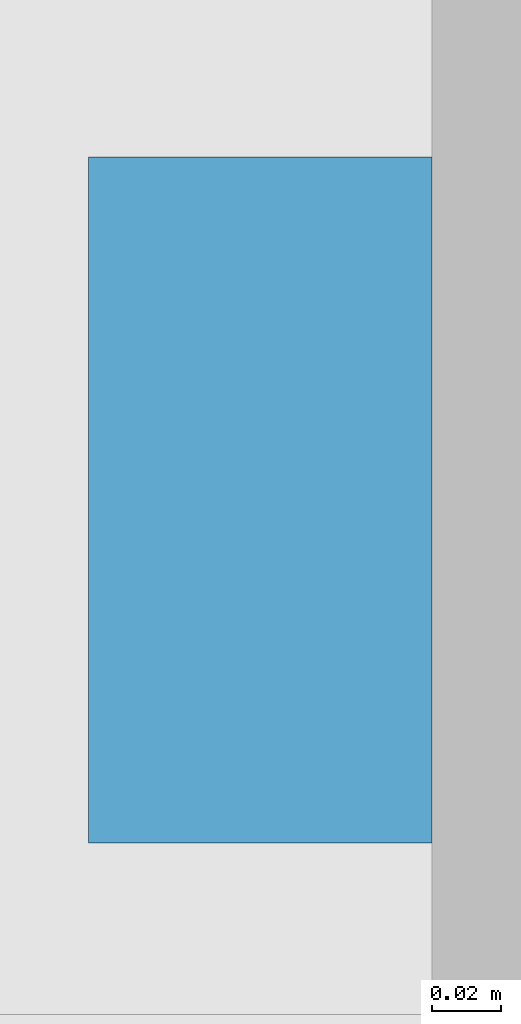
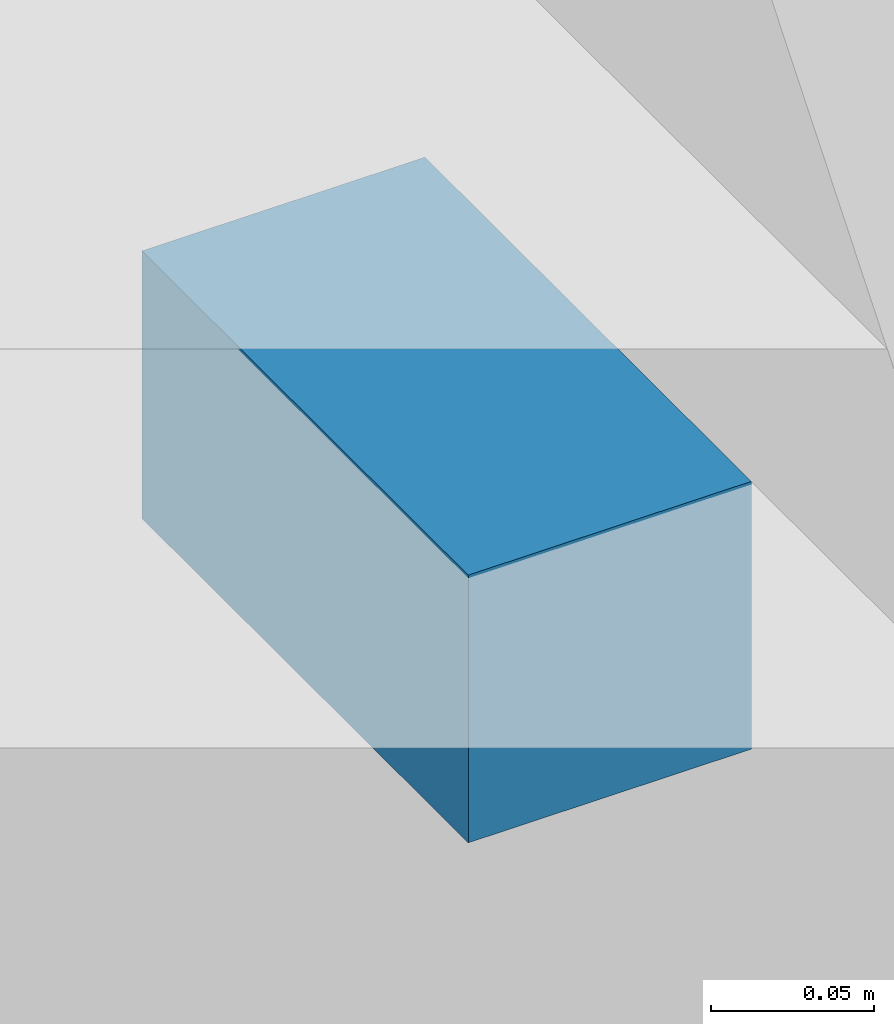
# One storey, part 15 of 19: 1 discrete accessory.
"""IFC4 building model written with IfcOpenShell, lengths in metres."""

from ifc_helpers import new_model, si_unit, direction, frame, origin, origin_2d, place, context, subcontext, project, spatial, rectangle, extrude, element, save


model = new_model("IFC4")

# Units and contexts
model_context = context("Model", 3, precision=1e-05, world=origin(), true_north=direction((0.0, 1.0)))
body_context = subcontext(model_context, "Body", "Model", "MODEL_VIEW")
ifc_project = project(units=[si_unit("LENGTHUNIT", "METRE"), si_unit("AREAUNIT", "SQUARE_METRE"), si_unit("VOLUMEUNIT", "CUBIC_METRE"), si_unit("PLANEANGLEUNIT", "RADIAN"), si_unit("MASSUNIT", "GRAM", prefix="KILO")], contexts=[model_context])

# Site, building, storey
site_placement = place(None, origin())
site = spatial("IfcSite", under=ifc_project, at=site_placement, CompositionType="ELEMENT")
building_placement = place(site_placement, origin())
building = spatial("IfcBuilding", under=site, at=building_placement, Name="Calvaro Tower", CompositionType="ELEMENT")
storey_placement = place(building_placement, frame((0.0, 0.0, 166.75)))
storey = spatial("IfcBuildingStorey", under=building, at=storey_placement, Name="L41", CompositionType="ELEMENT", Elevation=166.75)

# Discrete accessory
discrete_accessory_placement = place(storey_placement, frame((65.5, 3.60009765625, 2.349853515625), z_axis=(0.0, 0.0, 1.0), x_axis=(1.0, 0.0, 0.0)))
element("IfcDiscreteAccessory", 1, at=discrete_accessory_placement, inside=storey, Name="Brise-soleil bracket", PredefinedType="BRACKET", context=body_context, shape_type="SweptSolid", body=[
    extrude(rectangle(XDim=0.10009765625, YDim=0.199951171875, at=origin_2d()), origin(), (0.0, 0.0, 1.0), 0.10009765625),
])

save(model, "model.ifc")
